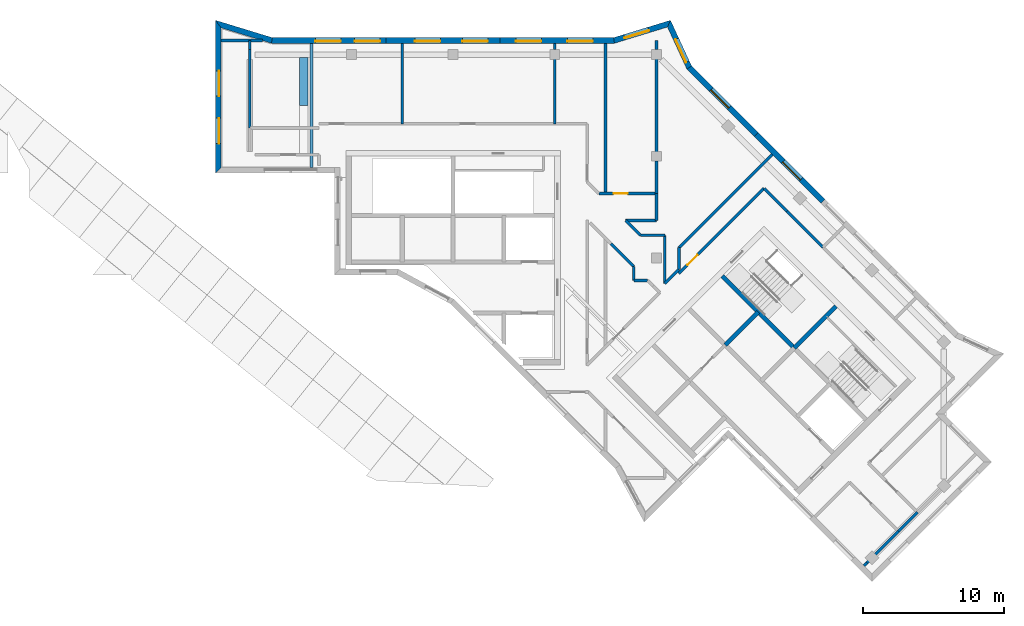
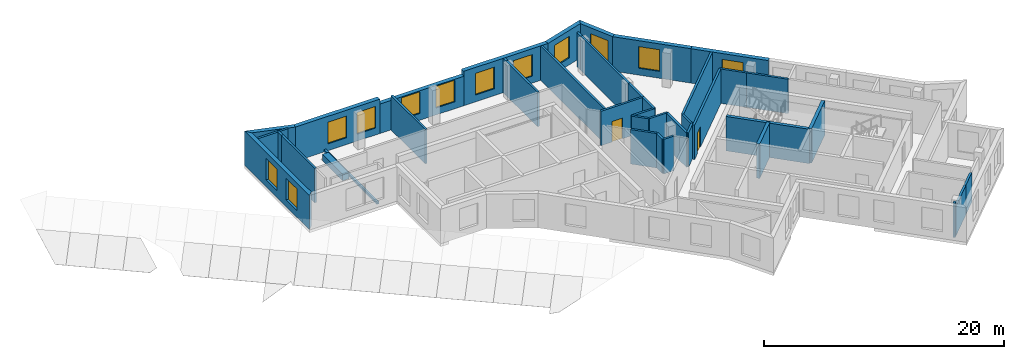
# One storey, part 4 of 8: 42 walls, 12 windows, 2 doors, 14 openings.
"""IFC4 building model written with IfcOpenShell, lengths in metres."""

from ifc_helpers import new_model, si_unit, direction, frame, frame_2d, origin, place, context, subcontext, project, spatial, polyline, rectangle, outline, extrude, material, layer, layer_set, type_object, element, fill, save


model = new_model("IFC4")

# Units and contexts
model_context = context("Model", 3, precision=1e-05, world=origin(), true_north=direction((0.0, 1.0)))
body_context = subcontext(model_context, "Body", "Model", "MODEL_VIEW")
ifc_project = project(units=[si_unit("LENGTHUNIT", "METRE"), si_unit("AREAUNIT", "SQUARE_METRE"), si_unit("VOLUMEUNIT", "CUBIC_METRE"), si_unit("PLANEANGLEUNIT", "RADIAN"), si_unit("MASSUNIT", "GRAM", prefix="KILO")], contexts=[model_context])

# Site, building, storey
site_placement = place(None, origin())
site = spatial("IfcSite", under=ifc_project, at=site_placement, CompositionType="ELEMENT")
building_placement = place(site_placement, origin())
building = spatial("IfcBuilding", under=site, at=building_placement, Name="Windrow Commons", CompositionType="ELEMENT")
storey_placement = place(building_placement, frame((0.0, 0.0, 298.2)))
storey = spatial("IfcBuildingStorey", under=building, at=storey_placement, Name="L81", CompositionType="ELEMENT", Elevation=298.2)

# Wall, opening, door
ifc_material_1 = material(Name="Blockwork partition", Category="masonry")
ifc_layer_1 = layer(ifc_material_1, 0.2)
ifc_layer_set_1 = layer_set([ifc_layer_1], Name="IW-CORRIDOR-200")
wall_type_1 = type_object("IfcWallType", Name="IW-CORRIDOR-200", PredefinedType="PARTITIONING", material=ifc_layer_set_1)
wall_1_placement = place(storey_placement, frame((80.8012, 56.4908, 0.0), z_axis=(0.0, 0.0, 1.0), x_axis=(0.7071067812, 0.7071067812, 0.0)))
wall_1 = element("IfcWall", 1, at=wall_1_placement, inside=storey, type_object=wall_type_1, Name="W-L81-W008", PredefinedType="PARTITIONING", context=body_context, shape_type="SweptSolid", body=[
    extrude(rectangle(XDim=8.5334, YDim=0.2, at=frame_2d((4.2667, 0.0))), origin(), (0.0, 0.0, 1.0), 3.5),
])
opening_1_placement = place(wall_1_placement, frame((0.8563, 0.0, 0.0)))
opening_1 = element("IfcOpeningElement", 2, at=opening_1_placement, cuts=wall_1, Name="Opening D410F", PredefinedType="OPENING", context=body_context, shape_type="SweptSolid", body=[
    extrude(rectangle(XDim=1.0, YDim=2.1, at=frame_2d((0.5, 1.05))), frame((0.0, 0.11, 0.0), z_axis=(0.0, -1.0, 0.0), x_axis=(1.0, 0.0, 0.0)), (0.0, 0.0, 1.0), 0.22),
])
ifc_material_2 = material(Name="Timber door leaf", Category="wood")
door_type = type_object("IfcDoorType", Name="DT-SERVICE-1000", OperationType="SINGLE_SWING_LEFT", PredefinedType="DOOR", material=ifc_material_2)
door_1_placement = place(opening_1_placement, origin())
door_1 = element("IfcDoor", 3, at=door_1_placement, inside=storey, type_object=door_type, Name="D-L81-D009", OperationType="SINGLE_SWING_RIGHT", OverallHeight=2.1, OverallWidth=1.0, PredefinedType="DOOR", context=body_context, shape_type="SweptSolid", body=[
    extrude(rectangle(XDim=1.0, YDim=2.1, at=frame_2d((0.5, 1.05))), frame((0.0, 0.025, 0.0), z_axis=(0.0, -1.0, 0.0), x_axis=(1.0, 0.0, 0.0)), (0.0, 0.0, 1.0), 0.05),
])
fill(opening_1, door_1)

wall_2_placement = place(storey_placement, frame((75.12, 62.15, 0.0), z_axis=(0.0, 0.0, 1.0), x_axis=(1.0, 0.0, 0.0)))
wall_2 = element("IfcWall", 4, at=wall_2_placement, inside=storey, type_object=wall_type_1, Name="W-L81-W021", PredefinedType="PARTITIONING", context=body_context, shape_type="SweptSolid", body=[
    extrude(rectangle(XDim=4.08, YDim=0.2, at=frame_2d((2.04, 0.0))), origin(), (0.0, 0.0, 1.0), 3.5),
])
opening_2_placement = place(wall_2_placement, frame((1.0475, 0.0, 0.0)))
opening_2 = element("IfcOpeningElement", 5, at=opening_2_placement, cuts=wall_2, Name="Opening D410F", PredefinedType="OPENING", context=body_context, shape_type="SweptSolid", body=[
    extrude(rectangle(XDim=1.0, YDim=2.1, at=frame_2d((0.5, 1.05))), frame((0.0, 0.11, 0.0), z_axis=(0.0, -1.0, 0.0), x_axis=(1.0, 0.0, 0.0)), (0.0, 0.0, 1.0), 0.22),
])
door_2_placement = place(opening_2_placement, origin())
door_2 = element("IfcDoor", 6, at=door_2_placement, inside=storey, type_object=door_type, Name="D-L81-D008", OperationType="SINGLE_SWING_LEFT", OverallHeight=2.1, OverallWidth=1.0, PredefinedType="DOOR", context=body_context, shape_type="SweptSolid", body=[
    extrude(rectangle(XDim=1.0, YDim=2.1, at=frame_2d((0.5, 1.05))), frame((0.0, 0.025, 0.0), z_axis=(0.0, -1.0, 0.0), x_axis=(1.0, 0.0, 0.0)), (0.0, 0.0, 1.0), 0.05),
])
fill(opening_2, door_2)

# Walls
wall_3_placement = place(storey_placement, frame((88.466, 60.9, 0.0), z_axis=(0.0, 0.0, 1.0), x_axis=(0.7073845681, -0.7068288851, 0.0)))
element("IfcWall", 7, at=wall_3_placement, inside=storey, type_object=wall_type_1, Name="W-L81-W023", PredefinedType="PARTITIONING", context=body_context, shape_type="SweptSolid", body=[
    extrude(rectangle(XDim=3.5992, YDim=0.2, at=frame_2d((1.7996, 0.0))), origin(), (0.0, 0.0, 1.0), 3.5),
])
wall_4_placement = place(storey_placement, frame((79.8, 55.774, 0.0), z_axis=(0.0, 0.0, 1.0), x_axis=(0.0, 1.0, 0.0)))
element("IfcWall", 8, at=wall_4_placement, inside=storey, type_object=wall_type_1, Name="W-L81-W024", PredefinedType="PARTITIONING", context=body_context, shape_type="SweptSolid", body=[
    extrude(rectangle(XDim=3.426, YDim=0.2, at=frame_2d((1.713, 0.0))), origin(), (0.0, 0.0, 1.0), 3.5),
])
wall_5_placement = place(storey_placement, frame((86.8345, 62.5205, 0.0), z_axis=(0.0, 0.0, 1.0), x_axis=(0.7071067812, -0.7071067812, 0.0)))
element("IfcWall", 9, at=wall_5_placement, inside=storey, type_object=wall_type_1, Name="W-L81-W032", PredefinedType="PARTITIONING", context=body_context, shape_type="SweptSolid", body=[
    extrude(rectangle(XDim=2.2995, YDim=0.2, at=frame_2d((1.1498, 0.0))), origin(), (0.0, 0.0, 1.0), 3.5),
])
wall_6_placement = place(storey_placement, frame((75.9847, 58.6027, 0.0), z_axis=(0.0, 0.0, 1.0), x_axis=(0.7075439414, -0.7066693506, 0.0)))
element("IfcWall", 10, at=wall_6_placement, inside=storey, type_object=wall_type_1, Name="W-L81-W033", PredefinedType="PARTITIONING", context=body_context, shape_type="SweptSolid", body=[
    extrude(rectangle(XDim=2.2868, YDim=0.2, at=frame_2d((1.1434, 0.0))), origin(), (0.0, 0.0, 1.0), 3.5),
])
wall_7_placement = place(storey_placement, frame((77.022, 60.25, 0.0), z_axis=(0.0, 0.0, 1.0), x_axis=(1.0, 0.0, 0.0)))
element("IfcWall", 11, at=wall_7_placement, inside=storey, type_object=wall_type_1, Name="W-L81-W034", PredefinedType="PARTITIONING", context=body_context, shape_type="SweptSolid", body=[
    extrude(rectangle(XDim=2.178, YDim=0.2, at=frame_2d((1.089, 0.0))), origin(), (0.0, 0.0, 1.0), 3.5),
])
wall_8_placement = place(storey_placement, frame((79.2, 60.25, 0.0), z_axis=(0.0, 0.0, 1.0), x_axis=(0.0, 1.0, 0.0)))
element("IfcWall", 12, at=wall_8_placement, inside=storey, type_object=wall_type_1, Name="W-L81-W038", PredefinedType="PARTITIONING", context=body_context, shape_type="SweptSolid", body=[
    extrude(rectangle(XDim=1.9, YDim=0.2, at=frame_2d((0.95, 0.0))), origin(), (0.0, 0.0, 1.0), 3.5),
])
wall_9_placement = place(storey_placement, frame((96.3464, 38.2376, 0.0), z_axis=(0.0, 0.0, 1.0), x_axis=(0.7065800724, 0.7076330979, 0.0)))
element("IfcWall", 13, at=wall_9_placement, inside=storey, type_object=wall_type_1, Name="W-L81-W039", PredefinedType="PARTITIONING", context=body_context, shape_type="SweptSolid", body=[
    extrude(rectangle(XDim=1.8993, YDim=0.2, at=frame_2d((0.9496, 0.0))), origin(), (0.0, 0.0, 1.0), 3.0),
])
wall_10_placement = place(storey_placement, frame((78.07, 59.2, 0.0), z_axis=(0.0, 0.0, 1.0), x_axis=(1.0, 0.0, 0.0)))
element("IfcWall", 14, at=wall_10_placement, inside=storey, type_object=wall_type_1, Name="W-L81-W040", PredefinedType="PARTITIONING", context=body_context, shape_type="SweptSolid", body=[
    extrude(rectangle(XDim=1.73, YDim=0.2, at=frame_2d((0.865, 0.0))), origin(), (0.0, 0.0, 1.0), 3.5),
])
wall_11_placement = place(storey_placement, frame((77.0188, 60.2448, 0.0), z_axis=(0.0, 0.0, 1.0), x_axis=(0.7071067812, -0.7071067812, 0.0)))
element("IfcWall", 15, at=wall_11_placement, inside=storey, type_object=wall_type_1, Name="W-L81-W043", PredefinedType="PARTITIONING", context=body_context, shape_type="SweptSolid", body=[
    extrude(rectangle(XDim=1.4821, YDim=0.2, at=frame_2d((0.741, 0.0))), origin(), (0.0, 0.0, 1.0), 3.5),
])
wall_12_placement = place(storey_placement, frame((79.8007, 55.7733, 0.0), z_axis=(0.0, 0.0, 1.0), x_axis=(0.7071067812, 0.7071067812, 0.0)))
element("IfcWall", 16, at=wall_12_placement, inside=storey, type_object=wall_type_1, Name="W-L81-W044", PredefinedType="PARTITIONING", context=body_context, shape_type="SweptSolid", body=[
    extrude(rectangle(XDim=1.4114, YDim=0.2, at=frame_2d((0.7057, 0.0))), origin(), (0.0, 0.0, 1.0), 3.5),
])
for number, where, z_axis, x_axis, name in (
    (17, (77.6, 56.0, 0.0), (0.0, 0.0, 1.0), (1.0, 0.0, 0.0), "W-L81-W047"),
    (18, (77.6, 56.0, 0.0), (0.0, 0.0, 1.0), (0.0, 1.0, 0.0), "W-L81-W048"),
):
    element("IfcWall", number, at=place(storey_placement, frame(where, z_axis=z_axis, x_axis=x_axis)), inside=storey, type_object=wall_type_1, Name=name, PredefinedType="PARTITIONING", context=body_context, shape_type="SweptSolid", body=[
        extrude(rectangle(XDim=0.982, YDim=0.2, at=frame_2d((0.491, 0.0))), origin(), (0.0, 0.0, 1.0), 3.5),
    ])
ifc_material_3 = material(Name="Blockwork partition", Category="masonry")
ifc_layer_2 = layer(ifc_material_3, 0.2)
ifc_layer_set_2 = layer_set([ifc_layer_2], Name="IW-PARTY-200")
wall_type_2 = type_object("IfcWallType", Name="IW-PARTY-200", PredefinedType="PARTITIONING", material=ifc_layer_set_2)
wall_13_placement = place(storey_placement, frame((79.2, 64.45, 0.0), z_axis=(0.0, 0.0, 1.0), x_axis=(0.0, 1.0, 0.0)))
element("IfcWall", 19, at=wall_13_placement, inside=storey, type_object=wall_type_2, Name="W-L81-W011", PredefinedType="PARTITIONING", context=body_context, shape_type="SweptSolid", body=[
    extrude(rectangle(XDim=7.9, YDim=0.2, at=frame_2d((3.95, 0.0))), origin(), (0.0, 0.0, 1.0), 3.5),
])
wall_14_placement = place(storey_placement, frame((50.4, 66.8, 0.0), z_axis=(0.0, 0.0, 1.0), x_axis=(0.0, 1.0, 0.0)))
element("IfcWall", 20, at=wall_14_placement, inside=storey, type_object=wall_type_2, Name="W-L81-W017", PredefinedType="PARTITIONING", context=body_context, shape_type="SweptSolid", body=[
    extrude(rectangle(XDim=5.55, YDim=0.2, at=frame_2d((2.775, 0.0))), origin(), (0.0, 0.0, 1.0), 3.5),
])
wall_15_placement = place(storey_placement, frame((72.0, 67.1, 0.0), z_axis=(0.0, 0.0, 1.0), x_axis=(0.0, 1.0, 0.0)))
element("IfcWall", 21, at=wall_15_placement, inside=storey, type_object=wall_type_2, Name="W-L81-W018", PredefinedType="PARTITIONING", context=body_context, shape_type="SweptSolid", body=[
    extrude(rectangle(XDim=5.25, YDim=0.2, at=frame_2d((2.625, 0.0))), origin(), (0.0, 0.0, 1.0), 3.5),
])
wall_16_placement = place(storey_placement, frame((79.2, 62.15, 0.0), z_axis=(0.0, 0.0, 1.0), x_axis=(0.0, 1.0, 0.0)))
element("IfcWall", 22, at=wall_16_placement, inside=storey, type_object=wall_type_2, Name="W-L81-W031", PredefinedType="PARTITIONING", context=body_context, shape_type="SweptSolid", body=[
    extrude(rectangle(XDim=2.3, YDim=0.2, at=frame_2d((1.15, 0.0))), origin(), (0.0, 0.0, 1.0), 3.5),
])
wall_17_placement = place(storey_placement, frame((94.123, 36.013, 0.0), z_axis=(0.0, 0.0, 1.0), x_axis=(0.7071067812, 0.7071067812, 0.0)))
element("IfcWall", 23, at=wall_17_placement, inside=storey, type_object=wall_type_2, Name="W-L81-W035", PredefinedType="PARTITIONING", context=body_context, shape_type="SweptSolid", body=[
    extrude(rectangle(XDim=3.1452, YDim=0.2, at=frame_2d((1.5726, 0.0))), origin(), (0.0, 0.0, 1.0), 3.0),
])
wall_18_placement = place(storey_placement, frame((80.8, 56.77, 0.0), z_axis=(0.0, 0.0, 1.0), x_axis=(0.0, 1.0, 0.0)))
element("IfcWall", 24, at=wall_18_placement, inside=storey, type_object=wall_type_2, Name="W-L81-W042", PredefinedType="PARTITIONING", context=body_context, shape_type="SweptSolid", body=[
    extrude(rectangle(XDim=1.556, YDim=0.2, at=frame_2d((0.778, 0.0))), origin(), (0.0, 0.0, 1.0), 3.5),
])
for number, where, z_axis, x_axis, name in (
    (25, (50.4, 72.35, 0.0), (0.0, 0.0, 1.0), (0.0, 1.0, 0.0), "W-L81-W051"),
    (26, (79.2, 72.35, 0.0), (0.0, 0.0, 1.0), (0.0, 1.0, 0.0), "W-L81-W053"),
):
    element("IfcWall", number, at=place(storey_placement, frame(where, z_axis=z_axis, x_axis=x_axis)), inside=storey, type_object=wall_type_2, Name=name, PredefinedType="PARTITIONING", context=body_context, shape_type="SweptSolid", body=[
        extrude(rectangle(XDim=0.65, YDim=0.2, at=frame_2d((0.325, 0.0))), origin(), (0.0, 0.0, 1.0), 3.5),
    ])
wall_19_placement = place(storey_placement, frame((48.367, 73.0, 0.0), z_axis=(0.0, 0.0, 1.0), x_axis=(1.0, 0.0, 0.0)))
element("IfcWall", 27, at=wall_19_placement, inside=storey, type_object=wall_type_2, Name="W-L81-W000", PredefinedType="PARTITIONING", context=body_context, shape_type="SweptSolid", body=[
    extrude(outline(polyline([(0.0, -0.1), (2.9161, -0.1), (2.9161, 0.1), (0.0, 0.1), (0.0, -0.1)])), origin(), (0.0, 0.0, 1.0), 3.5),
])
wall_20_placement = place(storey_placement, frame((75.6, 62.15, 0.0), z_axis=(0.0, 0.0, 1.0), x_axis=(0.0, 1.0, 0.0)))
element("IfcWall", 28, at=wall_20_placement, inside=storey, type_object=wall_type_2, Name="W-L81-W003", PredefinedType="PARTITIONING", context=body_context, shape_type="SweptSolid", body=[
    extrude(outline(polyline([(0.0, -0.1), (10.65, -0.1), (10.65, 0.1), (0.0, 0.1), (0.0, -0.1)])), origin(), (0.0, 0.0, 1.0), 3.5),
])
wall_21_placement = place(storey_placement, frame((80.7989, 58.3271, 0.0), z_axis=(0.0, 0.0, 1.0), x_axis=(0.7071067812, 0.7071067812, 0.0)))
element("IfcWall", 29, at=wall_21_placement, inside=storey, type_object=wall_type_2, Name="W-L81-W005", PredefinedType="PARTITIONING", context=body_context, shape_type="SweptSolid", body=[
    extrude(outline(polyline([(0.0, -0.1), (9.3376, -0.1), (9.3376, 0.1), (0.0, 0.1), (0.0, -0.1)])), origin(), (0.0, 0.0, 1.0), 3.5),
])
wall_22_placement = place(storey_placement, frame((61.2, 67.1, 0.0), z_axis=(0.0, 0.0, 1.0), x_axis=(0.0, 1.0, 0.0)))
element("IfcWall", 30, at=wall_22_placement, inside=storey, type_object=wall_type_2, Name="W-L81-W013", PredefinedType="PARTITIONING", context=body_context, shape_type="SweptSolid", body=[
    extrude(outline(polyline([(0.0, -0.1), (5.7, -0.1), (5.7, 0.1), (0.0, 0.1), (0.0, -0.1)])), origin(), (0.0, 0.0, 1.0), 3.5),
])
wall_23_placement = place(storey_placement, frame((72.0, 72.35, 0.0), z_axis=(0.0, 0.0, 1.0), x_axis=(0.0, 1.0, 0.0)))
element("IfcWall", 31, at=wall_23_placement, inside=storey, type_object=wall_type_2, Name="W-L81-W052", PredefinedType="PARTITIONING", context=body_context, shape_type="SweptSolid", body=[
    extrude(outline(polyline([(0.0, -0.1), (0.45, -0.1), (0.45, 0.1), (0.0, 0.1), (0.0, -0.1)])), origin(), (0.0, 0.0, 1.0), 3.5),
])
wall_24_placement = place(storey_placement, frame((93.907, 35.797, 0.0), z_axis=(0.0, 0.0, 1.0), x_axis=(0.7071067812, 0.7071067812, 0.0)))
element("IfcWall", 32, at=wall_24_placement, inside=storey, type_object=wall_type_2, Name="W-L81-W054", PredefinedType="PARTITIONING", context=body_context, shape_type="SweptSolid", body=[
    extrude(outline(polyline([(0.0, -0.1), (0.3055, -0.1), (0.3055, 0.1), (0.0, 0.1), (0.0, -0.1)])), origin(), (0.0, 0.0, 1.0), 3.5),
])
ifc_material_4 = material(Name="Concrete C30/37 planter wall", Category="concrete")
ifc_layer_3 = layer(ifc_material_4, 0.6)
ifc_layer_set_3 = layer_set([ifc_layer_3], Name="Planter 600x450")
wall_type_3 = type_object("IfcWallType", Name="Planter 600x450", PredefinedType="SOLIDWALL", material=ifc_layer_set_3)
wall_25_placement = place(storey_placement, frame((54.217, 68.4, 0.0), z_axis=(0.0, 0.0, 1.0), x_axis=(0.0, 1.0, 0.0)))
element("IfcWall", 33, at=wall_25_placement, inside=storey, type_object=wall_type_3, Name="PLANTER TR-L81-1.1", PredefinedType="SOLIDWALL", context=body_context, shape_type="SweptSolid", body=[
    extrude(outline(polyline([(0.0, -0.3), (3.38, -0.3), (3.38, 0.3), (0.0, 0.3), (0.0, -0.3)])), origin(), (0.0, 0.0, 1.0), 0.65),
])
ifc_material_5 = material(Name="Concrete C40/50", Category="concrete")
ifc_layer_4 = layer(ifc_material_5, 0.3)
ifc_layer_set_4 = layer_set([ifc_layer_4], Name="RC SHAFT WALL 300 C40/50")
wall_type_4 = type_object("IfcWallType", Name="RC SHAFT WALL 300 C40/50", PredefinedType="SOLIDWALL", material=ifc_layer_set_4)
wall_26_placement = place(storey_placement, frame((84.079, 51.4232, 0.0), z_axis=(0.0, 0.0, 1.0), x_axis=(0.7071219326, 0.7070916295, 0.0)))
element("IfcWall", 34, at=wall_26_placement, inside=storey, type_object=wall_type_4, Name="Core B wall shaft-N1", PredefinedType="SOLIDWALL", context=body_context, shape_type="SweptSolid", body=[
    extrude(outline(polyline([(0.0, 0.0), (3.3, 0.0), (3.3, 3.5), (0.0, 3.5), (0.0, 0.0)])), frame((0.0, 0.15, 0.0), z_axis=(0.0, -1.0, 0.0), x_axis=(1.0, 0.0, 0.0)), (0.0, 0.0, 1.0), 0.3),
])
wall_27_placement = place(storey_placement, frame((83.8669, 56.3022, 0.0), z_axis=(0.0, 0.0, 1.0), x_axis=(0.7071137256, -0.7070998367, 0.0)))
element("IfcWall", 35, at=wall_27_placement, inside=storey, type_object=wall_type_4, Name="Core B wall stair-S", PredefinedType="SOLIDWALL", context=body_context, shape_type="SweptSolid", body=[
    extrude(outline(polyline([(0.0, 0.0), (7.2, 0.0), (7.2, 3.5), (0.0, 3.5), (0.0, 0.0)])), frame((0.0, 0.15, 0.0), z_axis=(0.0, -1.0, 0.0), x_axis=(1.0, 0.0, 0.0)), (0.0, 0.0, 1.0), 0.3),
])
wall_28_placement = place(storey_placement, frame((88.9581, 51.2111, 0.0), z_axis=(0.0, 0.0, 1.0), x_axis=(0.7071067812, 0.7071067812, 0.0)))
element("IfcWall", 36, at=wall_28_placement, inside=storey, type_object=wall_type_4, Name="Core B wall stair-mid", PredefinedType="SOLIDWALL", context=body_context, shape_type="SweptSolid", body=[
    extrude(outline(polyline([(0.0, 0.0), (4.1999, 0.0), (4.1999, 3.5), (0.0, 3.5), (0.0, 0.0)])), frame((0.0, 0.15, 0.0), z_axis=(0.0, -1.0, 0.0), x_axis=(1.0, 0.0, 0.0)), (0.0, 0.0, 1.0), 0.3),
])
ifc_material_6 = material(Name="Brick masonry, red clay brick", Category="masonry")
ifc_layer_5 = layer(ifc_material_6, 0.2)
ifc_layer_set_5 = layer_set([ifc_layer_5], Name="Terrace edge parapet 200")
wall_type_5 = type_object("IfcWallType", Name="Terrace edge parapet 200", PredefinedType="PARAPET", material=ifc_layer_set_5)
wall_29_placement = place(storey_placement, frame((54.767, 64.0, 0.0), z_axis=(0.0, 0.0, 1.0), x_axis=(0.0, 1.0, 0.0)))
element("IfcWall", 37, at=wall_29_placement, inside=storey, type_object=wall_type_5, Name="Terrace parapet TR-L81-1.1.1", PredefinedType="PARAPET", context=body_context, shape_type="SweptSolid", body=[
    extrude(outline(polyline([(0.0, -0.1), (8.8, -0.1), (8.8, 0.1), (0.0, 0.1), (0.0, -0.1)])), origin(), (0.0, 0.0, 1.0), 0.25),
])

# Wall, opening, window
ifc_material_7 = material(Name="Standing seam zinc cladding on insulated masonry backing", Category="masonry")
ifc_layer_6 = layer(ifc_material_7, 0.4)
ifc_layer_set_6 = layer_set([ifc_layer_6], Name="Zinc clad crown wall 400")
wall_type_6 = type_object("IfcWallType", Name="Zinc clad crown wall 400", PredefinedType="SOLIDWALL", material=ifc_layer_set_6)
wall_30_placement = place(storey_placement, frame((91.0049, 61.6094, 0.0), z_axis=(0.0, 0.0, 1.0), x_axis=(-0.7071142638, 0.7070992985, 0.0)))
wall_30 = element("IfcWall", 38, at=wall_30_placement, inside=storey, type_object=wall_type_6, Name="Brick facade wall L81 6", PredefinedType="SOLIDWALL", context=body_context, shape_type="SweptSolid", body=[
    extrude(outline(polyline([(0.0, -0.2), (6.6821, -0.2), (6.6821, 0.2), (0.0, 0.2), (0.0, -0.2)])), origin(), (0.0, 0.0, 1.0), 3.5),
])
opening_3_placement = place(wall_30_placement, frame((2.1946, 0.0, 0.7)))
opening_3 = element("IfcOpeningElement", 39, at=opening_3_placement, cuts=wall_30, Name="Opening W6", PredefinedType="OPENING", context=body_context, shape_type="SweptSolid", body=[
    extrude(rectangle(XDim=1.8, YDim=2.2, at=frame_2d((0.9, 1.1))), frame((0.0, 0.21, 0.0), z_axis=(0.0, -1.0, 0.0), x_axis=(1.0, 0.0, 0.0)), (0.0, 0.0, 1.0), 0.42),
])
ifc_material_8 = material(Name="Clear float glass in anodised aluminium frame", Category="aluminium")
window_type = type_object("IfcWindowType", Name="Window W6 crown 1800x2200", PartitioningType="SINGLE_PANEL", PredefinedType="WINDOW", material=ifc_material_8)
window_1_placement = place(opening_3_placement, origin())
window_1 = element("IfcWindow", 40, at=window_1_placement, inside=storey, type_object=window_type, Name="Window L81 6.1", OverallHeight=2.2, OverallWidth=1.8, PartitioningType="SINGLE_PANEL", PredefinedType="WINDOW", context=body_context, shape_type="SweptSolid", body=[
    extrude(rectangle(XDim=1.8, YDim=2.2, at=frame_2d((0.9, 1.1))), frame((0.0, 0.08, 0.0), z_axis=(0.0, -1.0, 0.0), x_axis=(1.0, 0.0, 0.0)), (0.0, 0.0, 1.0), 0.06),
])
fill(opening_3, window_1)

wall_31_placement = place(storey_placement, frame((86.2799, 66.3343, 0.0), z_axis=(0.0, 0.0, 1.0), x_axis=(-0.7071067812, 0.7071067812, 0.0)))
wall_31 = element("IfcWall", 41, at=wall_31_placement, inside=storey, type_object=wall_type_6, Name="Brick facade wall L81 7", PredefinedType="SOLIDWALL", context=body_context, shape_type="SweptSolid", body=[
    extrude(outline(polyline([(0.0, -0.2), (6.6821, -0.2), (6.7534, 0.2), (0.0, 0.2), (0.0, -0.2)])), origin(), (0.0, 0.0, 1.0), 3.5),
])
opening_4_placement = place(wall_31_placement, frame((2.7125, 0.0, 0.7)))
opening_4 = element("IfcOpeningElement", 42, at=opening_4_placement, cuts=wall_31, Name="Opening W6", PredefinedType="OPENING", context=body_context, shape_type="SweptSolid", body=[
    extrude(rectangle(XDim=1.8, YDim=2.2, at=frame_2d((0.9, 1.1))), frame((0.0, 0.21, 0.0), z_axis=(0.0, -1.0, 0.0), x_axis=(1.0, 0.0, 0.0)), (0.0, 0.0, 1.0), 0.42),
])
window_2_placement = place(opening_4_placement, origin())
window_2 = element("IfcWindow", 43, at=window_2_placement, inside=storey, type_object=window_type, Name="Window L81 7.1", OverallHeight=2.2, OverallWidth=1.8, PartitioningType="SINGLE_PANEL", PredefinedType="WINDOW", context=body_context, shape_type="SweptSolid", body=[
    extrude(rectangle(XDim=1.8, YDim=2.2, at=frame_2d((0.9, 1.1))), frame((0.0, 0.08, 0.0), z_axis=(0.0, -1.0, 0.0), x_axis=(1.0, 0.0, 0.0)), (0.0, 0.0, 1.0), 0.06),
])
fill(opening_4, window_2)

wall_32_placement = place(storey_placement, frame((81.5297, 71.0845, 0.0), z_axis=(0.0, 0.0, 1.0), x_axis=(-0.4192676059, 0.9078626959, 0.0)))
wall_32 = element("IfcWall", 44, at=wall_32_placement, inside=storey, type_object=wall_type_6, Name="Brick facade wall L81 8", PredefinedType="SOLIDWALL", context=body_context, shape_type="SweptSolid", body=[
    extrude(outline(polyline([(0.0356, -0.2), (3.5959, -0.2), (3.2468, 0.2), (-0.0356, 0.2), (0.0356, -0.2)])), origin(), (0.0, 0.0, 1.0), 3.5),
])
opening_5_placement = place(wall_32_placement, frame((0.4226, 0.0, 0.7)))
opening_5 = element("IfcOpeningElement", 45, at=opening_5_placement, cuts=wall_32, Name="Opening W6", PredefinedType="OPENING", context=body_context, shape_type="SweptSolid", body=[
    extrude(rectangle(XDim=1.8, YDim=2.2, at=frame_2d((0.9, 1.1))), frame((0.0, 0.21, 0.0), z_axis=(0.0, -1.0, 0.0), x_axis=(1.0, 0.0, 0.0)), (0.0, 0.0, 1.0), 0.42),
])
window_3_placement = place(opening_5_placement, origin())
window_3 = element("IfcWindow", 46, at=window_3_placement, inside=storey, type_object=window_type, Name="Window L81 8.1", OverallHeight=2.2, OverallWidth=1.8, PartitioningType="SINGLE_PANEL", PredefinedType="WINDOW", context=body_context, shape_type="SweptSolid", body=[
    extrude(rectangle(XDim=1.8, YDim=2.2, at=frame_2d((0.9, 1.1))), frame((0.0, 0.08, 0.0), z_axis=(0.0, -1.0, 0.0), x_axis=(1.0, 0.0, 0.0)), (0.0, 0.0, 1.0), 0.06),
])
fill(opening_5, window_3)

wall_33_placement = place(storey_placement, frame((80.0952, 74.1907, 0.0), z_axis=(0.0, 0.0, 1.0), x_axis=(-0.9562353211, -0.2925987194, 0.0)))
wall_33 = element("IfcWall", 47, at=wall_33_placement, inside=storey, type_object=wall_type_6, Name="Brick facade wall L81 9", PredefinedType="SOLIDWALL", context=body_context, shape_type="SweptSolid", body=[
    extrude(outline(polyline([(-0.1745, -0.2), (4.0394, -0.2), (4.0993, 0.2), (0.1745, 0.2), (-0.1745, -0.2)])), origin(), (0.0, 0.0, 1.0), 3.5),
])
opening_6_placement = place(wall_33_placement, frame((1.5028, 0.0, 0.7)))
opening_6 = element("IfcOpeningElement", 48, at=opening_6_placement, cuts=wall_33, Name="Opening W6", PredefinedType="OPENING", context=body_context, shape_type="SweptSolid", body=[
    extrude(rectangle(XDim=1.8, YDim=2.2, at=frame_2d((0.9, 1.1))), frame((0.0, 0.21, 0.0), z_axis=(0.0, -1.0, 0.0), x_axis=(1.0, 0.0, 0.0)), (0.0, 0.0, 1.0), 0.42),
])
window_4_placement = place(opening_6_placement, origin())
window_4 = element("IfcWindow", 49, at=window_4_placement, inside=storey, type_object=window_type, Name="Window L81 9.1", OverallHeight=2.2, OverallWidth=1.8, PartitioningType="SINGLE_PANEL", PredefinedType="WINDOW", context=body_context, shape_type="SweptSolid", body=[
    extrude(rectangle(XDim=1.8, YDim=2.2, at=frame_2d((0.9, 1.1))), frame((0.0, 0.08, 0.0), z_axis=(0.0, -1.0, 0.0), x_axis=(1.0, 0.0, 0.0)), (0.0, 0.0, 1.0), 0.06),
])
fill(opening_6, window_4)

# Wall, openings, windows
wall_34_placement = place(storey_placement, frame((76.2039, 73.0, 0.0), z_axis=(0.0, 0.0, 1.0), x_axis=(-1.0, 0.0, 0.0)))
wall_34 = element("IfcWall", 50, at=wall_34_placement, inside=storey, type_object=wall_type_6, Name="Brick facade wall L81 10", PredefinedType="SOLIDWALL", context=body_context, shape_type="SweptSolid", body=[
    extrude(outline(polyline([(0.0299, -0.2), (8.0891, -0.2), (8.0891, 0.2), (-0.0299, 0.2), (0.0299, -0.2)])), origin(), (0.0, 0.0, 1.0), 3.5),
])
opening_7_placement = place(wall_34_placement, frame((1.5039, 0.0, 0.7)))
opening_7 = element("IfcOpeningElement", 51, at=opening_7_placement, cuts=wall_34, Name="Opening W6", PredefinedType="OPENING", context=body_context, shape_type="SweptSolid", body=[
    extrude(rectangle(XDim=1.8, YDim=2.2, at=frame_2d((0.9, 1.1))), frame((0.0, 0.21, 0.0), z_axis=(0.0, -1.0, 0.0), x_axis=(1.0, 0.0, 0.0)), (0.0, 0.0, 1.0), 0.42),
])
opening_8_placement = place(wall_34_placement, frame((5.1465, 0.0, 0.7)))
opening_8 = element("IfcOpeningElement", 52, at=opening_8_placement, cuts=wall_34, Name="Opening W6", PredefinedType="OPENING", context=body_context, shape_type="SweptSolid", body=[
    extrude(rectangle(XDim=1.8, YDim=2.2, at=frame_2d((0.9, 1.1))), frame((0.0, 0.21, 0.0), z_axis=(0.0, -1.0, 0.0), x_axis=(1.0, 0.0, 0.0)), (0.0, 0.0, 1.0), 0.42),
])
window_5_placement = place(opening_7_placement, origin())
window_5 = element("IfcWindow", 53, at=window_5_placement, inside=storey, type_object=window_type, Name="Window L81 10.1", OverallHeight=2.2, OverallWidth=1.8, PartitioningType="SINGLE_PANEL", PredefinedType="WINDOW", context=body_context, shape_type="SweptSolid", body=[
    extrude(rectangle(XDim=1.8, YDim=2.2, at=frame_2d((0.9, 1.1))), frame((0.0, 0.08, 0.0), z_axis=(0.0, -1.0, 0.0), x_axis=(1.0, 0.0, 0.0)), (0.0, 0.0, 1.0), 0.06),
])
fill(opening_7, window_5)
window_6_placement = place(opening_8_placement, origin())
window_6 = element("IfcWindow", 54, at=window_6_placement, inside=storey, type_object=window_type, Name="Window L81 10.2", OverallHeight=2.2, OverallWidth=1.8, PartitioningType="SINGLE_PANEL", PredefinedType="WINDOW", context=body_context, shape_type="SweptSolid", body=[
    extrude(rectangle(XDim=1.8, YDim=2.2, at=frame_2d((0.9, 1.1))), frame((0.0, 0.08, 0.0), z_axis=(0.0, -1.0, 0.0), x_axis=(1.0, 0.0, 0.0)), (0.0, 0.0, 1.0), 0.06),
])
fill(opening_8, window_6)

wall_35_placement = place(storey_placement, frame((68.1149, 73.0, 0.0), z_axis=(0.0, 0.0, 1.0), x_axis=(-1.0, 0.0, 0.0)))
wall_35 = element("IfcWall", 55, at=wall_35_placement, inside=storey, type_object=wall_type_6, Name="Brick facade wall L81 11", PredefinedType="SOLIDWALL", context=body_context, shape_type="SweptSolid", body=[
    extrude(outline(polyline([(0.0, -0.2), (8.0591, -0.2), (8.0591, 0.2), (0.0, 0.2), (0.0, -0.2)])), origin(), (0.0, 0.0, 1.0), 3.0),
])
opening_9_placement = place(wall_35_placement, frame((0.8574, 0.0, 0.7)))
opening_9 = element("IfcOpeningElement", 56, at=opening_9_placement, cuts=wall_35, Name="Opening W6", PredefinedType="OPENING", context=body_context, shape_type="SweptSolid", body=[
    extrude(rectangle(XDim=1.8, YDim=2.2, at=frame_2d((0.9, 1.1))), frame((0.0, 0.21, 0.0), z_axis=(0.0, -1.0, 0.0), x_axis=(1.0, 0.0, 0.0)), (0.0, 0.0, 1.0), 0.42),
])
opening_10_placement = place(wall_35_placement, frame((4.2149, 0.0, 0.7)))
opening_10 = element("IfcOpeningElement", 57, at=opening_10_placement, cuts=wall_35, Name="Opening W6", PredefinedType="OPENING", context=body_context, shape_type="SweptSolid", body=[
    extrude(rectangle(XDim=1.8, YDim=2.2, at=frame_2d((0.9, 1.1))), frame((0.0, 0.21, 0.0), z_axis=(0.0, -1.0, 0.0), x_axis=(1.0, 0.0, 0.0)), (0.0, 0.0, 1.0), 0.42),
])
window_7_placement = place(opening_9_placement, origin())
window_7 = element("IfcWindow", 58, at=window_7_placement, inside=storey, type_object=window_type, Name="Window L81 11.1", OverallHeight=2.2, OverallWidth=1.8, PartitioningType="SINGLE_PANEL", PredefinedType="WINDOW", context=body_context, shape_type="SweptSolid", body=[
    extrude(rectangle(XDim=1.8, YDim=2.2, at=frame_2d((0.9, 1.1))), frame((0.0, 0.08, 0.0), z_axis=(0.0, -1.0, 0.0), x_axis=(1.0, 0.0, 0.0)), (0.0, 0.0, 1.0), 0.06),
])
fill(opening_9, window_7)
window_8_placement = place(opening_10_placement, origin())
window_8 = element("IfcWindow", 59, at=window_8_placement, inside=storey, type_object=window_type, Name="Window L81 11.2", OverallHeight=2.2, OverallWidth=1.8, PartitioningType="SINGLE_PANEL", PredefinedType="WINDOW", context=body_context, shape_type="SweptSolid", body=[
    extrude(rectangle(XDim=1.8, YDim=2.2, at=frame_2d((0.9, 1.1))), frame((0.0, 0.08, 0.0), z_axis=(0.0, -1.0, 0.0), x_axis=(1.0, 0.0, 0.0)), (0.0, 0.0, 1.0), 0.06),
])
fill(opening_10, window_8)

wall_36_placement = place(storey_placement, frame((60.0557, 73.0, 0.0), z_axis=(0.0, 0.0, 1.0), x_axis=(-1.0, 0.0, 0.0)))
wall_36 = element("IfcWall", 60, at=wall_36_placement, inside=storey, type_object=wall_type_6, Name="Brick facade wall L81 12", PredefinedType="SOLIDWALL", context=body_context, shape_type="SweptSolid", body=[
    extrude(outline(polyline([(0.0, -0.2), (8.0591, -0.2), (8.119, 0.2), (0.0, 0.2), (0.0, -0.2)])), origin(), (0.0, 0.0, 1.0), 3.5),
])
opening_11_placement = place(wall_36_placement, frame((0.4279, 0.0, 0.7)))
opening_11 = element("IfcOpeningElement", 61, at=opening_11_placement, cuts=wall_36, Name="Opening W6", PredefinedType="OPENING", context=body_context, shape_type="SweptSolid", body=[
    extrude(rectangle(XDim=1.8, YDim=2.2, at=frame_2d((0.9, 1.1))), frame((0.0, 0.21, 0.0), z_axis=(0.0, -1.0, 0.0), x_axis=(1.0, 0.0, 0.0)), (0.0, 0.0, 1.0), 0.42),
])
opening_12_placement = place(wall_36_placement, frame((3.2057, 0.0, 0.7)))
opening_12 = element("IfcOpeningElement", 62, at=opening_12_placement, cuts=wall_36, Name="Opening W6", PredefinedType="OPENING", context=body_context, shape_type="SweptSolid", body=[
    extrude(rectangle(XDim=1.8, YDim=2.2, at=frame_2d((0.9, 1.1))), frame((0.0, 0.21, 0.0), z_axis=(0.0, -1.0, 0.0), x_axis=(1.0, 0.0, 0.0)), (0.0, 0.0, 1.0), 0.42),
])
window_9_placement = place(opening_11_placement, origin())
window_9 = element("IfcWindow", 63, at=window_9_placement, inside=storey, type_object=window_type, Name="Window L81 12.1", OverallHeight=2.2, OverallWidth=1.8, PartitioningType="SINGLE_PANEL", PredefinedType="WINDOW", context=body_context, shape_type="SweptSolid", body=[
    extrude(rectangle(XDim=1.8, YDim=2.2, at=frame_2d((0.9, 1.1))), frame((0.0, 0.08, 0.0), z_axis=(0.0, -1.0, 0.0), x_axis=(1.0, 0.0, 0.0)), (0.0, 0.0, 1.0), 0.06),
])
fill(opening_11, window_9)
window_10_placement = place(opening_12_placement, origin())
window_10 = element("IfcWindow", 64, at=window_10_placement, inside=storey, type_object=window_type, Name="Window L81 12.2", OverallHeight=2.2, OverallWidth=1.8, PartitioningType="SINGLE_PANEL", PredefinedType="WINDOW", context=body_context, shape_type="SweptSolid", body=[
    extrude(rectangle(XDim=1.8, YDim=2.2, at=frame_2d((0.9, 1.1))), frame((0.0, 0.08, 0.0), z_axis=(0.0, -1.0, 0.0), x_axis=(1.0, 0.0, 0.0)), (0.0, 0.0, 1.0), 0.06),
])
fill(opening_12, window_10)

# Wall
wall_37_placement = place(storey_placement, frame((51.9667, 73.0, 0.0), z_axis=(0.0, 0.0, 1.0), x_axis=(-0.9562403408, 0.2925823144, 0.0)))
element("IfcWall", 65, at=wall_37_placement, inside=storey, type_object=wall_type_6, Name="Brick facade wall L81 13", PredefinedType="SOLIDWALL", context=body_context, shape_type="SweptSolid", body=[
    extrude(outline(polyline([(0.0299, -0.2), (4.2439, -0.2), (3.7032, 0.2), (-0.0299, 0.2), (0.0299, -0.2)])), origin(), (0.0, 0.0, 1.0), 3.5),
])

# Wall, openings, windows
wall_38_placement = place(storey_placement, frame((48.167, 74.1626, 0.0), z_axis=(0.0, 0.0, 1.0), x_axis=(0.0, -1.0, 0.0)))
wall_38 = element("IfcWall", 66, at=wall_38_placement, inside=storey, type_object=wall_type_6, Name="Brick facade wall L81 14", PredefinedType="SOLIDWALL", context=body_context, shape_type="SweptSolid", body=[
    extrude(outline(polyline([(-0.2704, -0.2), (10.5626, -0.2), (10.1626, 0.2), (0.2704, 0.2), (-0.2704, -0.2)])), origin(), (0.0, 0.0, 1.0), 3.5),
])
opening_13_placement = place(wall_38_placement, frame((3.3126, 0.0, 0.7)))
opening_13 = element("IfcOpeningElement", 67, at=opening_13_placement, cuts=wall_38, Name="Opening W6", PredefinedType="OPENING", context=body_context, shape_type="SweptSolid", body=[
    extrude(rectangle(XDim=1.8, YDim=2.2, at=frame_2d((0.9, 1.1))), frame((0.0, 0.21, 0.0), z_axis=(0.0, -1.0, 0.0), x_axis=(1.0, 0.0, 0.0)), (0.0, 0.0, 1.0), 0.42),
])
opening_14_placement = place(wall_38_placement, frame((6.6626, 0.0, 0.7)))
opening_14 = element("IfcOpeningElement", 68, at=opening_14_placement, cuts=wall_38, Name="Opening W6", PredefinedType="OPENING", context=body_context, shape_type="SweptSolid", body=[
    extrude(rectangle(XDim=1.8, YDim=2.2, at=frame_2d((0.9, 1.1))), frame((0.0, 0.21, 0.0), z_axis=(0.0, -1.0, 0.0), x_axis=(1.0, 0.0, 0.0)), (0.0, 0.0, 1.0), 0.42),
])
window_11_placement = place(opening_13_placement, origin())
window_11 = element("IfcWindow", 69, at=window_11_placement, inside=storey, type_object=window_type, Name="Window L81 14.1", OverallHeight=2.2, OverallWidth=1.8, PartitioningType="SINGLE_PANEL", PredefinedType="WINDOW", context=body_context, shape_type="SweptSolid", body=[
    extrude(rectangle(XDim=1.8, YDim=2.2, at=frame_2d((0.9, 1.1))), frame((0.0, 0.08, 0.0), z_axis=(0.0, -1.0, 0.0), x_axis=(1.0, 0.0, 0.0)), (0.0, 0.0, 1.0), 0.06),
])
fill(opening_13, window_11)
window_12_placement = place(opening_14_placement, origin())
window_12 = element("IfcWindow", 70, at=window_12_placement, inside=storey, type_object=window_type, Name="Window L81 14.2", OverallHeight=2.2, OverallWidth=1.8, PartitioningType="SINGLE_PANEL", PredefinedType="WINDOW", context=body_context, shape_type="SweptSolid", body=[
    extrude(rectangle(XDim=1.8, YDim=2.2, at=frame_2d((0.9, 1.1))), frame((0.0, 0.08, 0.0), z_axis=(0.0, -1.0, 0.0), x_axis=(1.0, 0.0, 0.0)), (0.0, 0.0, 1.0), 0.06),
])
fill(opening_14, window_12)

save(model, "model.ifc")
